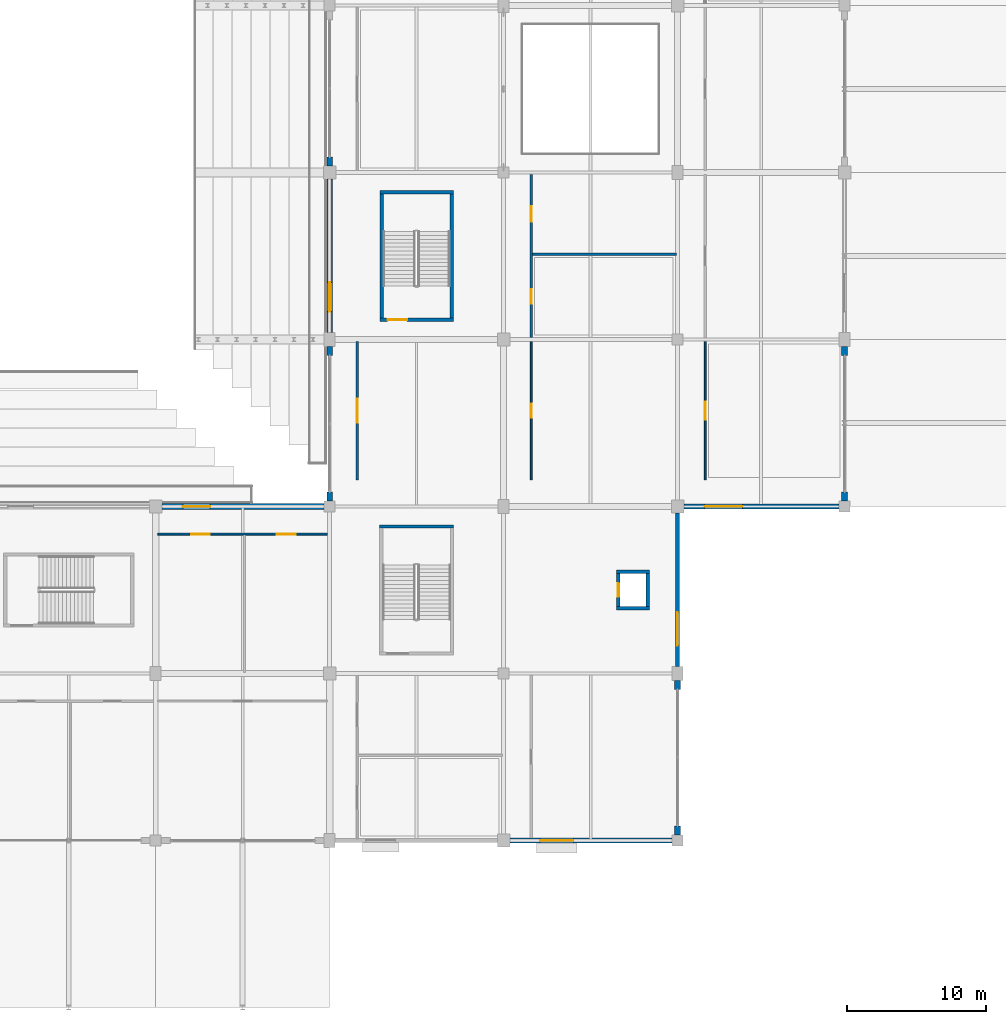
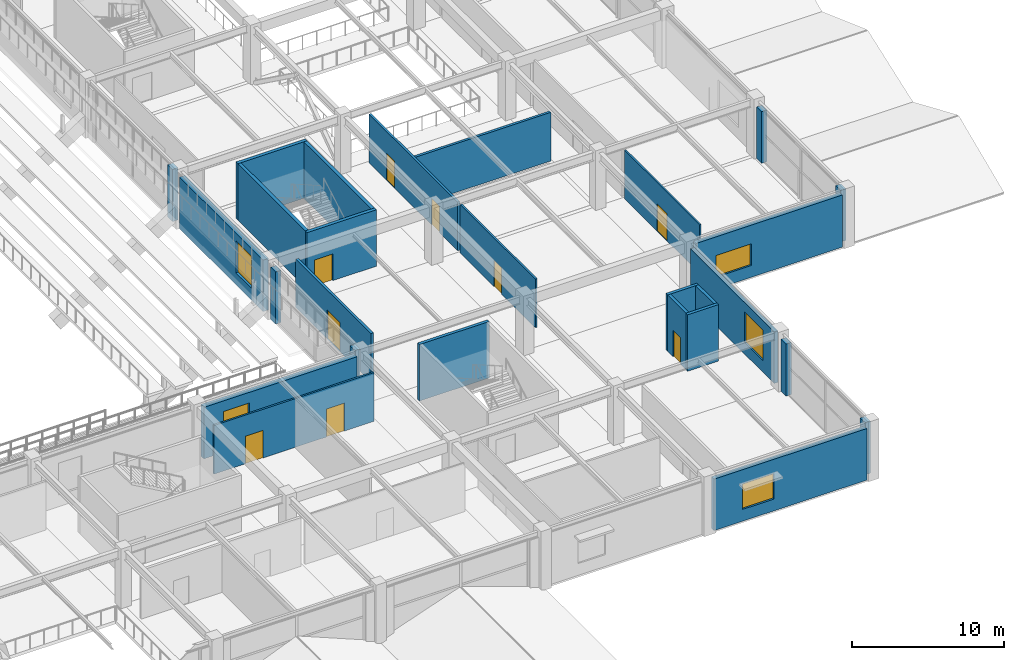
# One storey, part 84 of 134: 27 walls, 9 doors, 5 windows, 14 openings.
"""IFC4 building model written with IfcOpenShell, lengths in metres."""

import ifcopenshell
import ifcopenshell.guid

model = None  # the IFC model being written
_history = None  # IfcOwnerHistory: only IFC2X3 demands one
_inside = {}  # id of a spatial element -> (the spatial element, [elements in it])
_under = {}  # id of a project, library or spatial element -> (it, [spatial elements below it])
_declared = {}  # id of a project -> (the project, [libraries it declares])
_typed = {}  # id of a type object -> (the type object, [elements of that type])
_made_of = {}  # id of a material, layer set ... -> (it, [elements and type objects made of it])


def new_model(schema):
    """Start an empty IFC model of exactly this schema.

    Asked for "IFC4X3", IfcOpenShell would pick the latest addendum, in which some entities
    have other attributes; the version numbers below select the first issue.
    IFC2X3 requires an IfcOwnerHistory on every rooted entity: one is made here for all.
    """
    global model, _history
    if schema == "IFC4X3":
        model = ifcopenshell.file(schema_version=(4, 3, 0, 0))
    else:
        model = ifcopenshell.file(schema=schema)
    _inside.clear()
    _under.clear()
    _declared.clear()
    _typed.clear()
    _made_of.clear()
    _history = None
    if model.schema == "IFC2X3":
        org = make("IfcOrganization", Name="unknown")
        user = make(
            "IfcPersonAndOrganization",
            ThePerson=make("IfcPerson", FamilyName="unknown"),
            TheOrganization=org,
        )
        app = make(
            "IfcApplication",
            ApplicationDeveloper=org,
            Version="unknown",
            ApplicationFullName="unknown",
            ApplicationIdentifier="unknown",
        )
        _history = make(
            "IfcOwnerHistory",
            OwningUser=user,
            OwningApplication=app,
            ChangeAction="ADDED",
            CreationDate=0,
        )
    return model


def make(cls, **values):
    """One entity of the class cls with the attributes given. An attribute that is None is left unset."""
    return model.create_entity(
        cls, **{name: value for name, value in values.items() if value is not None}
    )


def rooted(cls, **values):
    """An entity with a GlobalId (a new one), such as an element, a storey or a relation."""
    return make(cls, GlobalId=ifcopenshell.guid.new(), OwnerHistory=_history, **values)


def si_unit(unit_type, name, prefix=None):
    """IfcSIUnit, for example si_unit("LENGTHUNIT", "METRE", prefix="MILLI")."""
    return make("IfcSIUnit", UnitType=unit_type, Prefix=prefix, Name=name)


def assignment(units):
    """IfcUnitAssignment: the units of a project."""
    return None if units is None else make("IfcUnitAssignment", Units=units)


def point(xyz):
    """IfcCartesianPoint."""
    return None if xyz is None else make("IfcCartesianPoint", Coordinates=xyz)


def direction(xyz):
    """IfcDirection."""
    return None if xyz is None else make("IfcDirection", DirectionRatios=xyz)


def frame(location, z_axis=None, x_axis=None):
    """IfcAxis2Placement3D, a coordinate frame: its origin and axes. An axis left out is left unset."""
    return make(
        "IfcAxis2Placement3D",
        Location=point(location),
        Axis=direction(z_axis),
        RefDirection=direction(x_axis),
    )


def frame_2d(location, x_axis=None):
    """IfcAxis2Placement2D, a coordinate frame in the plane: its origin and x axis."""
    return make(
        "IfcAxis2Placement2D", Location=point(location), RefDirection=direction(x_axis)
    )


def origin():
    """The frame at (0, 0, 0) with its axes left unset."""
    return frame((0.0, 0.0, 0.0))


def place(relative_to, where):
    """IfcLocalPlacement: puts the frame where relative to a parent placement (None: the world)."""
    return make(
        "IfcLocalPlacement", PlacementRelTo=relative_to, RelativePlacement=where
    )


def context(
    kind, dimensions, precision=None, world=None, true_north=None, identifier=None
):
    """IfcGeometricRepresentationContext, for example the 3D "Model" context."""
    return make(
        "IfcGeometricRepresentationContext",
        ContextIdentifier=identifier,
        ContextType=kind,
        CoordinateSpaceDimension=dimensions,
        Precision=precision,
        WorldCoordinateSystem=world,
        TrueNorth=true_north,
    )


def subcontext(parent, identifier, kind, view, scale=None):
    """IfcGeometricRepresentationSubContext, for example "Body" below "Model"."""
    return make(
        "IfcGeometricRepresentationSubContext",
        ContextIdentifier=identifier,
        ContextType=kind,
        ParentContext=parent,
        TargetScale=scale,
        TargetView=view,
    )


def project(units=None, contexts=None):
    """IfcProject with its units and contexts."""
    return rooted(
        "IfcProject",
        Name="project",
        RepresentationContexts=contexts,
        UnitsInContext=assignment(units),
    )


def spatial(cls, under=None, at=None, **own):
    """A site, building, storey or space (cls), placed at a placement, below another one or the project."""
    s = rooted(cls, ObjectPlacement=at, **own)
    if under is not None:
        _under.setdefault(under.id(), (under, []))[1].append(s)
    return s


def profile(cls, at=None, kind="AREA", **sizes):
    """A parametric profile (cls). Its sizes go by their IFC names, for example OverallWidth=200.0."""
    return make(cls, ProfileType=kind, Position=at, **sizes)


def rectangle(**sizes):
    """IfcRectangleProfileDef."""
    return profile("IfcRectangleProfileDef", **sizes)


def extrude(swept, where, along, depth):
    """IfcExtrudedAreaSolid: the profile swept, set in the frame where, extruded along a direction by depth."""
    return make(
        "IfcExtrudedAreaSolid",
        SweptArea=swept,
        Position=where,
        ExtrudedDirection=direction(along),
        Depth=depth,
    )


def shape(context_of_items, identifier, shape_type, items):
    """IfcShapeRepresentation: the items that make up one representation, for example the "Body"."""
    return make(
        "IfcShapeRepresentation",
        ContextOfItems=context_of_items,
        RepresentationIdentifier=identifier,
        RepresentationType=shape_type,
        Items=items,
    )


def material(Name=None, Category=None):
    """IfcMaterial."""
    return make("IfcMaterial", Name=Name, Category=Category)


def layer(
    of_material, thickness, ventilated=None, Name=None, Category=None, Priority=None
):
    """IfcMaterialLayer: one layer of a wall or slab, of a material (None: an air gap)."""
    return make(
        "IfcMaterialLayer",
        Material=of_material,
        LayerThickness=thickness,
        IsVentilated=ventilated,
        Name=Name,
        Category=Category,
        Priority=Priority,
    )


def layer_set(layers, Name=None):
    """IfcMaterialLayerSet."""
    return make("IfcMaterialLayerSet", MaterialLayers=layers, LayerSetName=Name)


def made_of(thing, what):
    """Note that an element or type object is made of a material, layer set ...; save() writes the relation."""
    if what is not None:
        _made_of.setdefault(what.id(), (what, []))[1].append(thing)
    return thing


def type_object(cls, material=None, **own):
    """A type object (cls), such as IfcWallType, which elements share."""
    return made_of(rooted(cls, **own), material)


def element(
    cls,
    number,
    at=None,
    inside=None,
    cuts=None,
    type_object=None,
    material=None,
    context=None,
    identifier="Body",
    shape_type=None,
    held_by="IfcProductDefinitionShape",
    body=None,
    shapes=None,
    **own,
):
    """One element of the class cls, such as IfcWall. Its Tag is "e" and its number.

    at: its placement. inside: the storey or other place that contains it. cuts: it is an
    opening in that element (IfcRelVoidsElement). A single representation is given by context,
    identifier, shape_type and body (its items); several are given by shapes. held_by: the class
    of the entity that holds the representations. save() writes the other relations.
    """
    e = rooted(cls, Tag="e%d" % number, ObjectPlacement=at, **own)
    if body is not None:
        shapes = [shape(context, identifier, shape_type, body)]
    if shapes is not None:
        e.Representation = make(held_by, Representations=shapes)
    if inside is not None:
        _inside.setdefault(inside.id(), (inside, []))[1].append(e)
    if cuts is not None:
        rooted(
            "IfcRelVoidsElement", RelatingBuildingElement=cuts, RelatedOpeningElement=e
        )
    if type_object is not None:
        _typed.setdefault(type_object.id(), (type_object, []))[1].append(e)
    return made_of(e, material)


def fill(opening, filler):
    """IfcRelFillsElement: the door or window that sits in an opening."""
    return rooted(
        "IfcRelFillsElement",
        RelatingOpeningElement=opening,
        RelatedBuildingElement=filler,
    )


def aggregate(whole, parts):
    """IfcRelAggregates: a whole, such as a stair, and the parts it consists of."""
    return rooted("IfcRelAggregates", RelatingObject=whole, RelatedObjects=parts)


def save(model, path):
    """Write the relations noted so far, then the file.

    IfcRelAggregates (storeys below a building ...), IfcRelContainedInSpatialStructure (elements
    in a storey), IfcRelDefinesByType, IfcRelAssociatesMaterial and IfcRelDeclares: one each for
    every whole, place, type object, material and project.
    """
    for whole, parts in _under.values():
        aggregate(whole, parts)
    for where, things in _inside.values():
        rooted(
            "IfcRelContainedInSpatialStructure",
            RelatedElements=things,
            RelatingStructure=where,
        )
    for kind, things in _typed.values():
        rooted("IfcRelDefinesByType", RelatedObjects=things, RelatingType=kind)
    for what, things in _made_of.values():
        rooted("IfcRelAssociatesMaterial", RelatedObjects=things, RelatingMaterial=what)
    for by, libraries in _declared.values():
        rooted("IfcRelDeclares", RelatingContext=by, RelatedDefinitions=libraries)
    model.write(path)


model = new_model("IFC4")

# Units and contexts
model_context = context("Model", 3, precision=1e-05, world=origin(), true_north=direction((0.0, 1.0)))
body_context = subcontext(model_context, "Body", "Model", "MODEL_VIEW")
ifc_project = project(units=[si_unit("LENGTHUNIT", "METRE"), si_unit("AREAUNIT", "SQUARE_METRE"), si_unit("VOLUMEUNIT", "CUBIC_METRE"), si_unit("PLANEANGLEUNIT", "RADIAN"), si_unit("MASSUNIT", "GRAM", prefix="KILO")], contexts=[model_context])

# Site, building, storey
site_placement = place(None, origin())
site = spatial("IfcSite", under=ifc_project, at=site_placement, CompositionType="ELEMENT")
building_placement = place(site_placement, origin())
building = spatial("IfcBuilding", under=site, at=building_placement, Name="Kazenohara Klinker Stadium", CompositionType="ELEMENT")
storey_placement = place(building_placement, frame((0.0, 0.0, 5.39990234375)))
storey = spatial("IfcBuildingStorey", under=building, at=storey_placement, Name="L01", CompositionType="ELEMENT", Elevation=5.39990234375)

# Walls
ifc_material_1 = material(Name="Concrete C40/50", Category="concrete")
ifc_layer_1 = layer(ifc_material_1, 0.22998046875)
ifc_layer_set_1 = layer_set([ifc_layer_1], Name="Concrete C40/50")
wall_type_1 = type_object("IfcWallType", Name="WAL-CORE-230", PredefinedType="SHEAR", material=ifc_layer_set_1)
wall_1_placement = place(storey_placement, frame((178.590087890625, 34.56494140625, 0.0), z_axis=(0.0, 0.0, 1.0), x_axis=(1.0, 0.0, 0.0)))
element("IfcWall", 1, at=wall_1_placement, inside=storey, type_object=wall_type_1, Name="Stairwell shear wall ST16 L01 North", PredefinedType="SHEAR", context=body_context, shape_type="SweptSolid", body=[
    extrude(rectangle(XDim=5.31982421875, YDim=0.22998046875, at=frame_2d((2.659912109375, 0.0))), origin(), (0.0, 0.0, 1.0), 4.550048828125),
])
for number, where, z_axis, x_axis, name in (
    (2, (195.6201171875, 28.68505859375, 0.0), (0.0, 0.0, 1.0), (1.0, 0.0, 0.0), "Elevator shaft wall LP06 L01 South"),
    (3, (195.6201171875, 31.31494140625, 0.0), (0.0, 0.0, 1.0), (1.0, 0.0, 0.0), "Elevator shaft wall LP06 L01 North"),
):
    element("IfcWall", number, at=place(storey_placement, frame(where, z_axis=z_axis, x_axis=x_axis)), inside=storey, type_object=wall_type_1, Name=name, PredefinedType="SHEAR", context=body_context, shape_type="SweptSolid", body=[
        extrude(rectangle(XDim=2.35986328125, YDim=0.22998046875, at=frame_2d((1.179931640625, 0.0))), origin(), (0.0, 0.0, 1.0), 4.550048828125),
    ])

# Wall, opening, door
wall_2_placement = place(storey_placement, frame((195.735107421875, 28.800048828125, 0.0), z_axis=(0.0, 0.0, 1.0), x_axis=(0.0, 1.0, 0.0)))
wall_2 = element("IfcWall", 4, at=wall_2_placement, inside=storey, type_object=wall_type_1, Name="Elevator shaft wall LP06 L01 West", PredefinedType="SHEAR", context=body_context, shape_type="SweptSolid", body=[
    extrude(rectangle(XDim=2.39990234375, YDim=0.22998046875, at=frame_2d((1.199951171875, 0.0))), origin(), (0.0, 0.0, 1.0), 4.550048828125),
])
opening_1_placement = place(wall_2_placement, frame((0.699951171875, 0.0, 0.0)))
opening_1 = element("IfcOpeningElement", 5, at=opening_1_placement, cuts=wall_2, Name="Opening LD02", PredefinedType="OPENING", context=body_context, shape_type="SweptSolid", body=[
    extrude(rectangle(XDim=1.0, YDim=2.14990234375, at=frame_2d((0.5, 1.074951171875))), frame((0.0, 0.125, 0.0), z_axis=(0.0, -1.0, 0.0), x_axis=(1.0, 0.0, 0.0)), (0.0, 0.0, 1.0), 0.25),
])
ifc_material_2 = material(Name="Stainless steel sliding landing door", Category="steel")
door_type_1 = type_object("IfcDoorType", Name="DR-LD02-1000x2150", OperationType="NOTDEFINED", PredefinedType="DOOR", material=ifc_material_2)
door_1_placement = place(opening_1_placement, origin())
door_1 = element("IfcDoor", 6, at=door_1_placement, inside=storey, type_object=door_type_1, Name="Elevator sliding landing door LP06-L01", OperationType="DOUBLE_DOOR_SLIDING", OverallHeight=2.14990234375, OverallWidth=1.0, PredefinedType="DOOR", context=body_context, shape_type="SweptSolid", body=[
    extrude(rectangle(XDim=1.0, YDim=2.14990234375, at=frame_2d((0.5, 1.074951171875))), frame((0.0, 0.02490234375, 0.0), z_axis=(0.0, -1.0, 0.0), x_axis=(1.0, 0.0, 0.0)), (0.0, 0.0, 1.0), 0.050048828125),
])
fill(opening_1, door_1)

# Wall
wall_3_placement = place(storey_placement, frame((197.864990234375, 28.800048828125, 0.0), z_axis=(0.0, 0.0, 1.0), x_axis=(0.0, 1.0, 0.0)))
element("IfcWall", 7, at=wall_3_placement, inside=storey, type_object=wall_type_1, Name="Elevator shaft wall LP06 L01 East", PredefinedType="SHEAR", context=body_context, shape_type="SweptSolid", body=[
    extrude(rectangle(XDim=2.39990234375, YDim=0.22998046875, at=frame_2d((1.199951171875, 0.0))), origin(), (0.0, 0.0, 1.0), 4.550048828125),
])

# Wall, opening, door
ifc_layer_2 = layer(ifc_material_1, 0.25)
ifc_layer_set_2 = layer_set([ifc_layer_2], Name="Concrete C40/50")
wall_type_2 = type_object("IfcWallType", Name="WAL-CORE-250", PredefinedType="SHEAR", material=ifc_layer_set_2)
wall_4_placement = place(storey_placement, frame((178.610107421875, 49.425048828125, 0.0), z_axis=(0.0, 0.0, 1.0), x_axis=(1.0, 0.0, 0.0)))
wall_4 = element("IfcWall", 8, at=wall_4_placement, inside=storey, type_object=wall_type_2, Name="Stairwell shear wall ST21 L01 South", PredefinedType="SHEAR", context=body_context, shape_type="SweptSolid", body=[
    extrude(rectangle(XDim=5.27978515625, YDim=0.25, at=frame_2d((2.639892578125, 0.0))), origin(), (0.0, 0.0, 1.0), 4.550048828125),
])
opening_2_placement = place(wall_4_placement, frame((0.550048828125, 0.0, 0.0)))
opening_2 = element("IfcOpeningElement", 9, at=opening_2_placement, cuts=wall_4, Name="Opening SD01", PredefinedType="OPENING", context=body_context, shape_type="SweptSolid", body=[
    extrude(rectangle(XDim=1.39990234375, YDim=2.14990234375, at=frame_2d((0.699951171875, 1.074951171875))), frame((0.0, 0.135009765625, 0.0), z_axis=(0.0, -1.0, 0.0), x_axis=(1.0, 0.0, 0.0)), (0.0, 0.0, 1.0), 0.27001953125),
])
ifc_material_3 = material(Name="Flush painted steel fire door leaf", Category="steel")
door_type_2 = type_object("IfcDoorType", Name="DR-STR-1400x2150", OperationType="NOTDEFINED", PredefinedType="DOOR", material=ifc_material_3)
door_2_placement = place(opening_2_placement, origin())
door_2 = element("IfcDoor", 10, at=door_2_placement, inside=storey, type_object=door_type_2, Name="Escape stairwell fire door ST21-L01", OperationType="SINGLE_SWING_RIGHT", OverallHeight=2.14990234375, OverallWidth=1.39990234375, PredefinedType="DOOR", context=body_context, shape_type="SweptSolid", body=[
    extrude(rectangle(XDim=1.39990234375, YDim=2.14990234375, at=frame_2d((0.699951171875, 1.074951171875))), frame((0.0, 0.02490234375, 0.0), z_axis=(0.0, -1.0, 0.0), x_axis=(1.0, 0.0, 0.0)), (0.0, 0.0, 1.0), 0.050048828125),
])
fill(opening_2, door_2)

# Walls
wall_5_placement = place(storey_placement, frame((178.610107421875, 58.574951171875, 0.0), z_axis=(0.0, 0.0, 1.0), x_axis=(1.0, 0.0, 0.0)))
element("IfcWall", 11, at=wall_5_placement, inside=storey, type_object=wall_type_2, Name="Stairwell shear wall ST21 L01 North", PredefinedType="SHEAR", context=body_context, shape_type="SweptSolid", body=[
    extrude(rectangle(XDim=5.27978515625, YDim=0.25, at=frame_2d((2.639892578125, 0.0))), origin(), (0.0, 0.0, 1.0), 4.550048828125),
])
for number, where, z_axis, x_axis, name in (
    (12, (178.735107421875, 49.550048828125, 0.0), (0.0, 0.0, 1.0), (0.0, 1.0, 0.0), "Stairwell shear wall ST21 L01 West"),
    (13, (183.764892578125, 49.550048828125, 0.0), (0.0, 0.0, 1.0), (0.0, 1.0, 0.0), "Stairwell shear wall ST21 L01 East"),
):
    element("IfcWall", number, at=place(storey_placement, frame(where, z_axis=z_axis, x_axis=x_axis)), inside=storey, type_object=wall_type_2, Name=name, PredefinedType="SHEAR", context=body_context, shape_type="SweptSolid", body=[
        extrude(rectangle(XDim=8.89990234375, YDim=0.25, at=frame_2d((4.449951171875, 0.0))), origin(), (0.0, 0.0, 1.0), 4.550048828125),
    ])

# Wall, opening, window
ifc_material_4 = material(Name="Clinker brick masonry", Category="masonry")
ifc_layer_3 = layer(ifc_material_4, 0.280029296875)
ifc_layer_set_3 = layer_set([ifc_layer_3], Name="Clinker brick masonry")
wall_type_3 = type_object("IfcWallType", Name="WAL-EXT-CB280", PredefinedType="SOLIDWALL", material=ifc_layer_set_3)
wall_6_placement = place(storey_placement, frame((200.0, 24.50390625, 0.0), z_axis=(0.0, 0.0, 1.0), x_axis=(0.0, 1.0, 0.0)))
wall_6 = element("IfcWall", 14, at=wall_6_placement, inside=storey, type_object=wall_type_3, Name="Clinker brick cavity wall EW06 L01 Y16-2", PredefinedType="SOLIDWALL", context=body_context, shape_type="SweptSolid", body=[
    extrude(rectangle(XDim=11.0419921875, YDim=0.280029296875, at=frame_2d((5.52099609375, 0.0))), origin(), (0.0, 0.0, 1.0), 4.150146484375),
])
opening_3_placement = place(wall_6_placement, frame((1.5, 0.0, 0.949951171875)))
opening_3 = element("IfcOpeningElement", 15, at=opening_3_placement, cuts=wall_6, Name="Opening W25", PredefinedType="OPENING", context=body_context, shape_type="SweptSolid", body=[
    extrude(rectangle(XDim=2.39990234375, YDim=2.449951171875, at=frame_2d((1.199951171875, 1.22509765625))), frame((0.0, 0.14990234375, 0.0), z_axis=(0.0, -1.0, 0.0), x_axis=(1.0, 0.0, 0.0)), (0.0, 0.0, 1.0), 0.300048828125),
])
ifc_material_5 = material(Name="Dark bronze aluminium frame and triple glazing", Category="aluminium")
window_type_1 = type_object("IfcWindowType", Name="WIN-AS-25", PartitioningType="SINGLE_PANEL", PredefinedType="WINDOW", material=ifc_material_5)
window_1_placement = place(opening_3_placement, origin())
window_1 = element("IfcWindow", 16, at=window_1_placement, inside=storey, type_object=window_type_1, Name="Horizontal-mullion ladder window W25 L01 Y16-2", OverallHeight=2.449951171875, OverallWidth=2.39990234375, PartitioningType="SINGLE_PANEL", PredefinedType="WINDOW", context=body_context, shape_type="SweptSolid", body=[
    extrude(rectangle(XDim=2.39990234375, YDim=2.449951171875, at=frame_2d((1.199951171875, 1.22509765625))), frame((0.0, 0.030029296875, 0.0), z_axis=(0.0, -1.0, 0.0), x_axis=(1.0, 0.0, 0.0)), (0.0, 0.0, 1.0), 0.06005859375),
])
fill(opening_3, window_1)

ifc_layer_4 = layer(ifc_material_4, 0.340087890625)
ifc_layer_set_4 = layer_set([ifc_layer_4], Name="Clinker brick masonry")
wall_type_4 = type_object("IfcWallType", Name="WAL-EXT-CB340", PredefinedType="SOLIDWALL", material=ifc_layer_set_4)
wall_7_placement = place(storey_placement, frame((187.9541015625, 12.0, 0.0), z_axis=(0.0, 0.0, 1.0), x_axis=(1.0, 0.0, 0.0)))
wall_7 = element("IfcWall", 17, at=wall_7_placement, inside=storey, type_object=wall_type_4, Name="Clinker brick cavity wall EW04 L01 X15-1", PredefinedType="SOLIDWALL", context=body_context, shape_type="SweptSolid", body=[
    extrude(rectangle(XDim=11.641845703125, YDim=0.340087890625, at=frame_2d((5.82080078125, 0.0))), origin(), (0.0, 0.0, 1.0), 4.150146484375),
])
opening_4_placement = place(wall_7_placement, frame((2.166015625, 0.0, 0.949951171875)))
opening_4 = element("IfcOpeningElement", 18, at=opening_4_placement, cuts=wall_7, Name="Opening W24", PredefinedType="OPENING", context=body_context, shape_type="SweptSolid", body=[
    extrude(rectangle(XDim=2.39990234375, YDim=2.050048828125, at=frame_2d((1.199951171875, 1.02490234375))), frame((0.0, 0.18017578125, 0.0), z_axis=(0.0, -1.0, 0.0), x_axis=(1.0, 0.0, 0.0)), (0.0, 0.0, 1.0), 0.360107421875),
])
window_type_2 = type_object("IfcWindowType", Name="WIN-AS-24", PartitioningType="SINGLE_PANEL", PredefinedType="WINDOW", material=ifc_material_5)
window_2_placement = place(opening_4_placement, origin())
window_2 = element("IfcWindow", 19, at=window_2_placement, inside=storey, type_object=window_type_2, Name="Horizontal-mullion ladder window W24 L01 X15-1", OverallHeight=2.050048828125, OverallWidth=2.39990234375, PartitioningType="SINGLE_PANEL", PredefinedType="WINDOW", context=body_context, shape_type="SweptSolid", body=[
    extrude(rectangle(XDim=2.39990234375, YDim=2.050048828125, at=frame_2d((1.199951171875, 1.02490234375))), frame((0.0, 0.030029296875, 0.0), z_axis=(0.0, -1.0, 0.0), x_axis=(1.0, 0.0, 0.0)), (0.0, 0.0, 1.0), 0.06005859375),
])
fill(opening_4, window_2)

wall_8_placement = place(storey_placement, frame((200.4541015625, 36.0, 0.0), z_axis=(0.0, 0.0, 1.0), x_axis=(1.0, 0.0, 0.0)))
wall_8 = element("IfcWall", 20, at=wall_8_placement, inside=storey, type_object=wall_type_4, Name="Clinker brick cavity wall EW04 L01 X16-3", PredefinedType="SOLIDWALL", context=body_context, shape_type="SweptSolid", body=[
    extrude(rectangle(XDim=11.141845703125, YDim=0.340087890625, at=frame_2d((5.57080078125, 0.0))), origin(), (0.0, 0.0, 1.0), 4.2001953125),
])
opening_5_placement = place(wall_8_placement, frame((1.5, 0.0, 0.949951171875)))
opening_5 = element("IfcOpeningElement", 21, at=opening_5_placement, cuts=wall_8, Name="Opening W27", PredefinedType="OPENING", context=body_context, shape_type="SweptSolid", body=[
    extrude(rectangle(XDim=2.699951171875, YDim=1.75, at=frame_2d((1.35009765625, 0.875))), frame((0.0, 0.18017578125, 0.0), z_axis=(0.0, -1.0, 0.0), x_axis=(1.0, 0.0, 0.0)), (0.0, 0.0, 1.0), 0.360107421875),
])
window_type_3 = type_object("IfcWindowType", Name="WIN-AS-27", PartitioningType="SINGLE_PANEL", PredefinedType="WINDOW", material=ifc_material_5)
window_3_placement = place(opening_5_placement, origin())
window_3 = element("IfcWindow", 22, at=window_3_placement, inside=storey, type_object=window_type_3, Name="Horizontal-mullion ladder window W27 L01 X16-3", OverallHeight=1.75, OverallWidth=2.699951171875, PartitioningType="SINGLE_PANEL", PredefinedType="WINDOW", context=body_context, shape_type="SweptSolid", body=[
    extrude(rectangle(XDim=2.699951171875, YDim=1.75, at=frame_2d((1.35009765625, 0.875))), frame((0.0, 0.030029296875, 0.0), z_axis=(0.0, -1.0, 0.0), x_axis=(1.0, 0.0, 0.0)), (0.0, 0.0, 1.0), 0.06005859375),
])
fill(opening_5, window_3)

ifc_layer_5 = layer(ifc_material_4, 0.409912109375)
ifc_layer_set_5 = layer_set([ifc_layer_5], Name="Clinker brick masonry")
wall_type_5 = type_object("IfcWallType", Name="WAL-EXT-CB410", PredefinedType="SOLIDWALL", material=ifc_layer_set_5)
wall_9_placement = place(storey_placement, frame((162.9541015625, 36.0, 0.0), z_axis=(0.0, 0.0, 1.0), x_axis=(1.0, 0.0, 0.0)))
wall_9 = element("IfcWall", 23, at=wall_9_placement, inside=storey, type_object=wall_type_5, Name="Clinker brick cavity wall EW02 L01 X13-3", PredefinedType="SOLIDWALL", context=body_context, shape_type="SweptSolid", body=[
    extrude(rectangle(XDim=11.641845703125, YDim=0.409912109375, at=frame_2d((5.82080078125, 0.0))), origin(), (0.0, 0.0, 1.0), 4.150146484375),
])
opening_6_placement = place(wall_9_placement, frame((1.5, 0.0, 0.949951171875)))
opening_6 = element("IfcOpeningElement", 24, at=opening_6_placement, cuts=wall_9, Name="Opening W17", PredefinedType="OPENING", context=body_context, shape_type="SweptSolid", body=[
    extrude(rectangle(XDim=1.949951171875, YDim=2.35009765625, at=frame_2d((0.97509765625, 1.175048828125))), frame((0.0, 0.21484375, 0.0), z_axis=(0.0, -1.0, 0.0), x_axis=(1.0, 0.0, 0.0)), (0.0, 0.0, 1.0), 0.429931640625),
])
window_type_4 = type_object("IfcWindowType", Name="WIN-AS-17", PartitioningType="SINGLE_PANEL", PredefinedType="WINDOW", material=ifc_material_5)
window_4_placement = place(opening_6_placement, origin())
window_4 = element("IfcWindow", 25, at=window_4_placement, inside=storey, type_object=window_type_4, Name="Horizontal-mullion ladder window W17 L01 X13-3", OverallHeight=2.35009765625, OverallWidth=1.949951171875, PartitioningType="SINGLE_PANEL", PredefinedType="WINDOW", context=body_context, shape_type="SweptSolid", body=[
    extrude(rectangle(XDim=1.949951171875, YDim=2.35009765625, at=frame_2d((0.97509765625, 1.175048828125))), frame((0.0, 0.030029296875, 0.0), z_axis=(0.0, -1.0, 0.0), x_axis=(1.0, 0.0, 0.0)), (0.0, 0.0, 1.0), 0.06005859375),
])
fill(opening_6, window_4)

# Walls
wall_10_placement = place(storey_placement, frame((175.0, 36.404052734375, 0.0), z_axis=(0.0, 0.0, 1.0), x_axis=(0.0, 1.0, 0.0)))
element("IfcWall", 26, at=wall_10_placement, inside=storey, type_object=wall_type_5, Name="Clinker brick curtain-wall jamb pier L01 Y14-3 A", PredefinedType="SOLIDWALL", context=body_context, shape_type="SweptSolid", body=[
    extrude(rectangle(XDim=0.64990234375, YDim=0.409912109375, at=frame_2d((0.324951171875, 0.0))), origin(), (0.0, 0.0, 1.0), 4.2001953125),
])
wall_11_placement = place(storey_placement, frame((175.0, 46.845947265625, 0.0), z_axis=(0.0, 0.0, 1.0), x_axis=(0.0, 1.0, 0.0)))
element("IfcWall", 27, at=wall_11_placement, inside=storey, type_object=wall_type_5, Name="Clinker brick curtain-wall jamb pier L01 Y14-3 B", PredefinedType="SOLIDWALL", context=body_context, shape_type="SweptSolid", body=[
    extrude(rectangle(XDim=0.650146484375, YDim=0.409912109375, at=frame_2d((0.3251953125, 0.0))), origin(), (0.0, 0.0, 1.0), 4.2001953125),
])

# Wall, opening, window
wall_12_placement = place(storey_placement, frame((175.0, 48.50390625, 0.0), z_axis=(0.0, 0.0, 1.0), x_axis=(0.0, 1.0, 0.0)))
wall_12 = element("IfcWall", 28, at=wall_12_placement, inside=storey, type_object=wall_type_5, Name="Clinker brick cavity wall EW02 L01 Y14-4", PredefinedType="SOLIDWALL", context=body_context, shape_type="SweptSolid", body=[
    extrude(rectangle(XDim=11.0419921875, YDim=0.409912109375, at=frame_2d((5.52099609375, 0.0))), origin(), (0.0, 0.0, 1.0), 4.150146484375),
])
opening_7_placement = place(wall_12_placement, frame((1.5, 0.0, 0.949951171875)))
opening_7 = element("IfcOpeningElement", 29, at=opening_7_placement, cuts=wall_12, Name="Opening W20", PredefinedType="OPENING", context=body_context, shape_type="SweptSolid", body=[
    extrude(rectangle(XDim=2.10009765625, YDim=2.60009765625, at=frame_2d((1.050048828125, 1.300048828125))), frame((0.0, 0.21484375, 0.0), z_axis=(0.0, -1.0, 0.0), x_axis=(1.0, 0.0, 0.0)), (0.0, 0.0, 1.0), 0.429931640625),
])
window_type_5 = type_object("IfcWindowType", Name="WIN-AS-20", PartitioningType="SINGLE_PANEL", PredefinedType="WINDOW", material=ifc_material_5)
window_5_placement = place(opening_7_placement, origin())
window_5 = element("IfcWindow", 30, at=window_5_placement, inside=storey, type_object=window_type_5, Name="Horizontal-mullion ladder window W20 L01 Y14-4", OverallHeight=2.60009765625, OverallWidth=2.10009765625, PartitioningType="SINGLE_PANEL", PredefinedType="WINDOW", context=body_context, shape_type="SweptSolid", body=[
    extrude(rectangle(XDim=2.10009765625, YDim=2.60009765625, at=frame_2d((1.050048828125, 1.300048828125))), frame((0.0, 0.030029296875, 0.0), z_axis=(0.0, -1.0, 0.0), x_axis=(1.0, 0.0, 0.0)), (0.0, 0.0, 1.0), 0.06005859375),
])
fill(opening_7, window_5)

# Walls
for number, where, z_axis, x_axis, name in (
    (31, (175.0, 60.4541015625, 0.0), (0.0, 0.0, 1.0), (0.0, 1.0, 0.0), "Clinker brick curtain-wall jamb pier L01 Y14-5 A"),
    (32, (200.0, 12.404052734375, 0.0), (0.0, 0.0, 1.0), (0.0, 1.0, 0.0), "Clinker brick curtain-wall jamb pier L01 Y16-1 A"),
):
    element("IfcWall", number, at=place(storey_placement, frame(where, z_axis=z_axis, x_axis=x_axis)), inside=storey, type_object=wall_type_5, Name=name, PredefinedType="SOLIDWALL", context=body_context, shape_type="SweptSolid", body=[
        extrude(rectangle(XDim=0.64990234375, YDim=0.409912109375, at=frame_2d((0.324951171875, 0.0))), origin(), (0.0, 0.0, 1.0), 4.2001953125),
    ])
wall_13_placement = place(storey_placement, frame((200.0, 22.845947265625, 0.0), z_axis=(0.0, 0.0, 1.0), x_axis=(0.0, 1.0, 0.0)))
element("IfcWall", 33, at=wall_13_placement, inside=storey, type_object=wall_type_5, Name="Clinker brick curtain-wall jamb pier L01 Y16-1 B", PredefinedType="SOLIDWALL", context=body_context, shape_type="SweptSolid", body=[
    extrude(rectangle(XDim=0.650146484375, YDim=0.409912109375, at=frame_2d((0.3251953125, 0.0))), origin(), (0.0, 0.0, 1.0), 4.2001953125),
])
wall_14_placement = place(storey_placement, frame((212.0, 36.404052734375, 0.0), z_axis=(0.0, 0.0, 1.0), x_axis=(0.0, 1.0, 0.0)))
element("IfcWall", 34, at=wall_14_placement, inside=storey, type_object=wall_type_5, Name="Clinker brick curtain-wall jamb pier L01 Y17-3 A", PredefinedType="SOLIDWALL", context=body_context, shape_type="SweptSolid", body=[
    extrude(rectangle(XDim=0.64990234375, YDim=0.409912109375, at=frame_2d((0.324951171875, 0.0))), origin(), (0.0, 0.0, 1.0), 4.150146484375),
])
wall_15_placement = place(storey_placement, frame((212.0, 46.845947265625, 0.0), z_axis=(0.0, 0.0, 1.0), x_axis=(0.0, 1.0, 0.0)))
element("IfcWall", 35, at=wall_15_placement, inside=storey, type_object=wall_type_5, Name="Clinker brick curtain-wall jamb pier L01 Y17-3 B", PredefinedType="SOLIDWALL", context=body_context, shape_type="SweptSolid", body=[
    extrude(rectangle(XDim=0.650146484375, YDim=0.409912109375, at=frame_2d((0.3251953125, 0.0))), origin(), (0.0, 0.0, 1.0), 4.150146484375),
])

# Wall, opening, door
ifc_material_6 = material(Name="Fire-rated gypsum board on acoustic studs", Category="gypsum")
ifc_layer_6 = layer(ifc_material_6, 0.1201171875)
ifc_layer_set_6 = layer_set([ifc_layer_6], Name="Fire-rated gypsum board on acoustic studs")
wall_type_6 = type_object("IfcWallType", Name="WAL-INT-P120", PredefinedType="PARTITIONING", material=ifc_layer_set_6)
wall_16_placement = place(storey_placement, frame((201.989990234375, 37.919921875, 0.0), z_axis=(0.0, 0.0, 1.0), x_axis=(0.0, 1.0, 0.0)))
wall_16 = element("IfcWall", 36, at=wall_16_placement, inside=storey, type_object=wall_type_6, Name="Interior partition wall PT02 SPC-L01-16-03-1-1", PredefinedType="PARTITIONING", context=body_context, shape_type="SweptSolid", body=[
    extrude(rectangle(XDim=9.920166015625, YDim=0.1201171875, at=frame_2d((4.9599609375, 0.0))), origin(), (0.0, 0.0, 1.0), 3.920166015625),
])
opening_8_placement = place(wall_16_placement, frame((5.594970703125, 0.0, 0.0), z_axis=(0.0, 0.0, 1.0), x_axis=(-1.0, 0.0, 0.0)))
opening_8 = element("IfcOpeningElement", 37, at=opening_8_placement, cuts=wall_16, Name="Opening ID14", PredefinedType="OPENING", context=body_context, shape_type="SweptSolid", body=[
    extrude(rectangle(XDim=1.27001953125, YDim=2.199951171875, at=frame_2d((0.635009765625, 1.10009765625))), frame((0.0, 0.070068359375, 0.0), z_axis=(0.0, -1.0, 0.0), x_axis=(1.0, 0.0, 0.0)), (0.0, 0.0, 1.0), 0.14013671875),
])
ifc_material_7 = material(Name="Solid-core Hokkaido oak fire door", Category="wood")
door_type_3 = type_object("IfcDoorType", Name="DR-INT-14", OperationType="NOTDEFINED", PredefinedType="DOOR", material=ifc_material_7)
door_3_placement = place(opening_8_placement, origin())
door_3 = element("IfcDoor", 38, at=door_3_placement, inside=storey, type_object=door_type_3, Name="Interior door ID14 Community Martial Arts Fitness Studio L01-1603A", OperationType="SINGLE_SWING_LEFT", OverallHeight=2.199951171875, OverallWidth=1.27001953125, PredefinedType="DOOR", context=body_context, shape_type="SweptSolid", body=[
    extrude(rectangle(XDim=1.27001953125, YDim=2.199951171875, at=frame_2d((0.635009765625, 1.10009765625))), frame((0.0, 0.02490234375, 0.0), z_axis=(0.0, -1.0, 0.0), x_axis=(1.0, 0.0, 0.0)), (0.0, 0.0, 1.0), 0.050048828125),
])
fill(opening_8, door_3)

# Wall, openings, doors
ifc_layer_7 = layer(ifc_material_6, 0.139892578125)
ifc_layer_set_7 = layer_set([ifc_layer_7], Name="Fire-rated gypsum board on acoustic studs")
wall_type_7 = type_object("IfcWallType", Name="WAL-INT-P140", PredefinedType="PARTITIONING", material=ifc_layer_set_7)
wall_17_placement = place(storey_placement, frame((162.659912109375, 34.010009765625, 0.0), z_axis=(0.0, 0.0, 1.0), x_axis=(1.0, 0.0, 0.0)))
wall_17 = element("IfcWall", 39, at=wall_17_placement, inside=storey, type_object=wall_type_7, Name="Interior partition wall PT03 SPC-L01-13-02-1-1", PredefinedType="PARTITIONING", context=body_context, shape_type="SweptSolid", body=[
    extrude(rectangle(XDim=12.18017578125, YDim=0.139892578125, at=frame_2d((6.090087890625, 0.0))), origin(), (0.0, 0.0, 1.0), 3.920166015625),
])
opening_9_placement = place(wall_17_placement, frame((3.73095703125, 0.0, 0.0), z_axis=(0.0, 0.0, 1.0), x_axis=(-1.0, 0.0, 0.0)))
opening_9 = element("IfcOpeningElement", 40, at=opening_9_placement, cuts=wall_17, Name="Opening ID16", PredefinedType="OPENING", context=body_context, shape_type="SweptSolid", body=[
    extrude(rectangle(XDim=1.330078125, YDim=2.219970703125, at=frame_2d((0.6650390625, 1.10986328125))), frame((0.0, 0.080078125, 0.0), z_axis=(0.0, -1.0, 0.0), x_axis=(1.0, 0.0, 0.0)), (0.0, 0.0, 1.0), 0.159912109375),
])
opening_10_placement = place(wall_17_placement, frame((9.916015625, 0.0, 0.0), z_axis=(0.0, 0.0, 1.0), x_axis=(-1.0, 0.0, 0.0)))
opening_10 = element("IfcOpeningElement", 41, at=opening_10_placement, cuts=wall_17, Name="Opening ID17", PredefinedType="OPENING", context=body_context, shape_type="SweptSolid", body=[
    extrude(rectangle(XDim=1.360107421875, YDim=2.25, at=frame_2d((0.68017578125, 1.125))), frame((0.0, 0.080078125, 0.0), z_axis=(0.0, -1.0, 0.0), x_axis=(1.0, 0.0, 0.0)), (0.0, 0.0, 1.0), 0.159912109375),
])
door_type_4 = type_object("IfcDoorType", Name="DR-INT-16", OperationType="NOTDEFINED", PredefinedType="DOOR", material=ifc_material_7)
door_4_placement = place(opening_9_placement, origin())
door_4 = element("IfcDoor", 42, at=door_4_placement, inside=storey, type_object=door_type_4, Name="Interior door ID16 Spectator First-Aid Medical Clinic L01-1302A", OperationType="SINGLE_SWING_LEFT", OverallHeight=2.219970703125, OverallWidth=1.330078125, PredefinedType="DOOR", context=body_context, shape_type="SweptSolid", body=[
    extrude(rectangle(XDim=1.330078125, YDim=2.219970703125, at=frame_2d((0.6650390625, 1.10986328125))), frame((0.0, 0.02490234375, 0.0), z_axis=(0.0, -1.0, 0.0), x_axis=(1.0, 0.0, 0.0)), (0.0, 0.0, 1.0), 0.050048828125),
])
fill(opening_9, door_4)
door_type_5 = type_object("IfcDoorType", Name="DR-INT-17", OperationType="NOTDEFINED", PredefinedType="DOOR", material=ifc_material_7)
door_5_placement = place(opening_10_placement, origin())
door_5 = element("IfcDoor", 43, at=door_5_placement, inside=storey, type_object=door_type_5, Name="Interior door ID17 Supporter Scarf and Jersey Retail Shop L01-1302B", OperationType="SINGLE_SWING_RIGHT", OverallHeight=2.25, OverallWidth=1.360107421875, PredefinedType="DOOR", context=body_context, shape_type="SweptSolid", body=[
    extrude(rectangle(XDim=1.360107421875, YDim=2.25, at=frame_2d((0.68017578125, 1.125))), frame((0.0, 0.02490234375, 0.0), z_axis=(0.0, -1.0, 0.0), x_axis=(1.0, 0.0, 0.0)), (0.0, 0.0, 1.0), 0.050048828125),
])
fill(opening_10, door_5)

# Wall, opening, door
wall_18_placement = place(storey_placement, frame((189.489990234375, 37.919921875, 0.0), z_axis=(0.0, 0.0, 1.0), x_axis=(0.0, 1.0, 0.0)))
wall_18 = element("IfcWall", 44, at=wall_18_placement, inside=storey, type_object=wall_type_7, Name="Interior partition wall PT03 SPC-L01-15-03-1-1", PredefinedType="PARTITIONING", context=body_context, shape_type="SweptSolid", body=[
    extrude(rectangle(XDim=9.920166015625, YDim=0.139892578125, at=frame_2d((4.9599609375, 0.0))), origin(), (0.0, 0.0, 1.0), 3.920166015625),
])
opening_11_placement = place(wall_18_placement, frame((5.47509765625, 0.0, 0.0), z_axis=(0.0, 0.0, 1.0), x_axis=(-1.0, 0.0, 0.0)))
opening_11 = element("IfcOpeningElement", 45, at=opening_11_placement, cuts=wall_18, Name="Opening ID06", PredefinedType="OPENING", context=body_context, shape_type="SweptSolid", body=[
    extrude(rectangle(XDim=1.030029296875, YDim=2.1201171875, at=frame_2d((0.51513671875, 1.06005859375))), frame((0.0, 0.080078125, 0.0), z_axis=(0.0, -1.0, 0.0), x_axis=(1.0, 0.0, 0.0)), (0.0, 0.0, 1.0), 0.159912109375),
])
door_type_6 = type_object("IfcDoorType", Name="DR-INT-06", OperationType="NOTDEFINED", PredefinedType="DOOR", material=ifc_material_7)
door_6_placement = place(opening_11_placement, origin())
door_6 = element("IfcDoor", 46, at=door_6_placement, inside=storey, type_object=door_type_6, Name="Interior door ID06 Supporter Scarf and Jersey Retail Shop L01-1503A", OperationType="SINGLE_SWING_LEFT", OverallHeight=2.1201171875, OverallWidth=1.030029296875, PredefinedType="DOOR", context=body_context, shape_type="SweptSolid", body=[
    extrude(rectangle(XDim=1.030029296875, YDim=2.1201171875, at=frame_2d((0.51513671875, 1.06005859375))), frame((0.0, 0.02490234375, 0.0), z_axis=(0.0, -1.0, 0.0), x_axis=(1.0, 0.0, 0.0)), (0.0, 0.0, 1.0), 0.050048828125),
])
fill(opening_11, door_6)

# Wall, openings, doors
ifc_layer_8 = layer(ifc_material_6, 0.169921875)
ifc_layer_set_8 = layer_set([ifc_layer_8], Name="Fire-rated gypsum board on acoustic studs")
wall_type_8 = type_object("IfcWallType", Name="WAL-INT-P170", PredefinedType="PARTITIONING", material=ifc_layer_set_8)
wall_19_placement = place(storey_placement, frame((189.489990234375, 48.159912109375, 0.0), z_axis=(0.0, 0.0, 1.0), x_axis=(0.0, 1.0, 0.0)))
wall_19 = element("IfcWall", 47, at=wall_19_placement, inside=storey, type_object=wall_type_8, Name="Interior partition wall PT05 SPC-L01-15-04-1-1", PredefinedType="PARTITIONING", context=body_context, shape_type="SweptSolid", body=[
    extrude(rectangle(XDim=11.68017578125, YDim=0.169921875, at=frame_2d((5.840087890625, 0.0))), origin(), (0.0, 0.0, 1.0), 3.920166015625),
])
opening_12_placement = place(wall_19_placement, frame((3.468505859375, 0.0, 0.0), z_axis=(0.0, 0.0, 1.0), x_axis=(-1.0, 0.0, 0.0)))
opening_12 = element("IfcOpeningElement", 48, at=opening_12_placement, cuts=wall_19, Name="Opening ID07", PredefinedType="OPENING", context=body_context, shape_type="SweptSolid", body=[
    extrude(rectangle(XDim=1.06005859375, YDim=2.14990234375, at=frame_2d((0.530029296875, 1.074951171875))), frame((0.0, 0.094970703125, 0.0), z_axis=(0.0, -1.0, 0.0), x_axis=(1.0, 0.0, 0.0)), (0.0, 0.0, 1.0), 0.18994140625),
])
opening_13_placement = place(wall_19_placement, frame((9.403564453125, 0.0, 0.0), z_axis=(0.0, 0.0, 1.0), x_axis=(-1.0, 0.0, 0.0)))
opening_13 = element("IfcOpeningElement", 49, at=opening_13_placement, cuts=wall_19, Name="Opening ID08", PredefinedType="OPENING", context=body_context, shape_type="SweptSolid", body=[
    extrude(rectangle(XDim=1.090087890625, YDim=2.159912109375, at=frame_2d((0.544921875, 1.080078125))), frame((0.0, 0.094970703125, 0.0), z_axis=(0.0, -1.0, 0.0), x_axis=(1.0, 0.0, 0.0)), (0.0, 0.0, 1.0), 0.18994140625),
])
door_type_7 = type_object("IfcDoorType", Name="DR-INT-07", OperationType="NOTDEFINED", PredefinedType="DOOR", material=ifc_material_7)
door_7_placement = place(opening_12_placement, origin())
door_7 = element("IfcDoor", 50, at=door_7_placement, inside=storey, type_object=door_type_7, Name="Interior door ID07 Family Sensory Hospitality Lounge L01-1504A", OperationType="SINGLE_SWING_RIGHT", OverallHeight=2.14990234375, OverallWidth=1.06005859375, PredefinedType="DOOR", context=body_context, shape_type="SweptSolid", body=[
    extrude(rectangle(XDim=1.06005859375, YDim=2.14990234375, at=frame_2d((0.530029296875, 1.074951171875))), frame((0.0, 0.02490234375, 0.0), z_axis=(0.0, -1.0, 0.0), x_axis=(1.0, 0.0, 0.0)), (0.0, 0.0, 1.0), 0.050048828125),
])
fill(opening_12, door_7)
door_type_8 = type_object("IfcDoorType", Name="DR-INT-08", OperationType="NOTDEFINED", PredefinedType="DOOR", material=ifc_material_7)
door_8_placement = place(opening_13_placement, origin())
door_8 = element("IfcDoor", 51, at=door_8_placement, inside=storey, type_object=door_type_8, Name="Interior door ID08 Youth Sports Coaching Classroom L01-1504B", OperationType="SINGLE_SWING_LEFT", OverallHeight=2.159912109375, OverallWidth=1.090087890625, PredefinedType="DOOR", context=body_context, shape_type="SweptSolid", body=[
    extrude(rectangle(XDim=1.090087890625, YDim=2.159912109375, at=frame_2d((0.544921875, 1.080078125))), frame((0.0, 0.02490234375, 0.0), z_axis=(0.0, -1.0, 0.0), x_axis=(1.0, 0.0, 0.0)), (0.0, 0.0, 1.0), 0.050048828125),
])
fill(opening_13, door_8)

# Wall, opening, door
ifc_layer_9 = layer(ifc_material_6, 0.18994140625)
ifc_layer_set_9 = layer_set([ifc_layer_9], Name="Fire-rated gypsum board on acoustic studs")
wall_type_9 = type_object("IfcWallType", Name="WAL-INT-P190", PredefinedType="PARTITIONING", material=ifc_layer_set_9)
wall_20_placement = place(storey_placement, frame((176.989990234375, 37.919921875, 0.0), z_axis=(0.0, 0.0, 1.0), x_axis=(0.0, 1.0, 0.0)))
wall_20 = element("IfcWall", 52, at=wall_20_placement, inside=storey, type_object=wall_type_9, Name="Interior partition wall PT06 SPC-L01-14-03-1-1", PredefinedType="PARTITIONING", context=body_context, shape_type="SweptSolid", body=[
    extrude(rectangle(XDim=9.920166015625, YDim=0.18994140625, at=frame_2d((4.9599609375, 0.0))), origin(), (0.0, 0.0, 1.0), 3.920166015625),
])
opening_14_placement = place(wall_20_placement, frame((5.81005859375, 0.0, 0.0), z_axis=(0.0, 0.0, 1.0), x_axis=(-1.0, 0.0, 0.0)))
opening_14 = element("IfcOpeningElement", 53, at=opening_14_placement, cuts=wall_20, Name="Opening ID25", PredefinedType="OPENING", context=body_context, shape_type="SweptSolid", body=[
    extrude(rectangle(XDim=1.699951171875, YDim=2.320068359375, at=frame_2d((0.85009765625, 1.16015625))), frame((0.0, 0.10498046875, 0.0), z_axis=(0.0, -1.0, 0.0), x_axis=(1.0, 0.0, 0.0)), (0.0, 0.0, 1.0), 0.2099609375),
])
ifc_material_8 = material(Name="Painted steel plant fire door", Category="steel")
door_type_9 = type_object("IfcDoorType", Name="DR-INT-25", OperationType="NOTDEFINED", PredefinedType="DOOR", material=ifc_material_8)
door_9_placement = place(opening_14_placement, origin())
door_9 = element("IfcDoor", 54, at=door_9_placement, inside=storey, type_object=door_type_9, Name="Interior door ID25 Concourse Hokkaido Seafood Bistro L01-1403A", OperationType="SINGLE_SWING_RIGHT", OverallHeight=2.320068359375, OverallWidth=1.699951171875, PredefinedType="DOOR", context=body_context, shape_type="SweptSolid", body=[
    extrude(rectangle(XDim=1.699951171875, YDim=2.320068359375, at=frame_2d((0.85009765625, 1.16015625))), frame((0.0, 0.02490234375, 0.0), z_axis=(0.0, -1.0, 0.0), x_axis=(1.0, 0.0, 0.0)), (0.0, 0.0, 1.0), 0.050048828125),
])
fill(opening_14, door_9)

# Wall
wall_21_placement = place(storey_placement, frame((189.580078125, 54.11669921875, 0.0), z_axis=(0.0, 0.0, 1.0), x_axis=(1.0, 0.0, 0.0)))
element("IfcWall", 55, at=wall_21_placement, inside=storey, type_object=wall_type_9, Name="Interior partition wall PT06 SPC-L01-15-04-1-2", PredefinedType="PARTITIONING", context=body_context, shape_type="SweptSolid", body=[
    extrude(rectangle(XDim=10.33984375, YDim=0.18994140625, at=frame_2d((5.169921875, 0.0))), origin(), (0.0, 0.0, 1.0), 3.920166015625),
])

save(model, "model.ifc")
